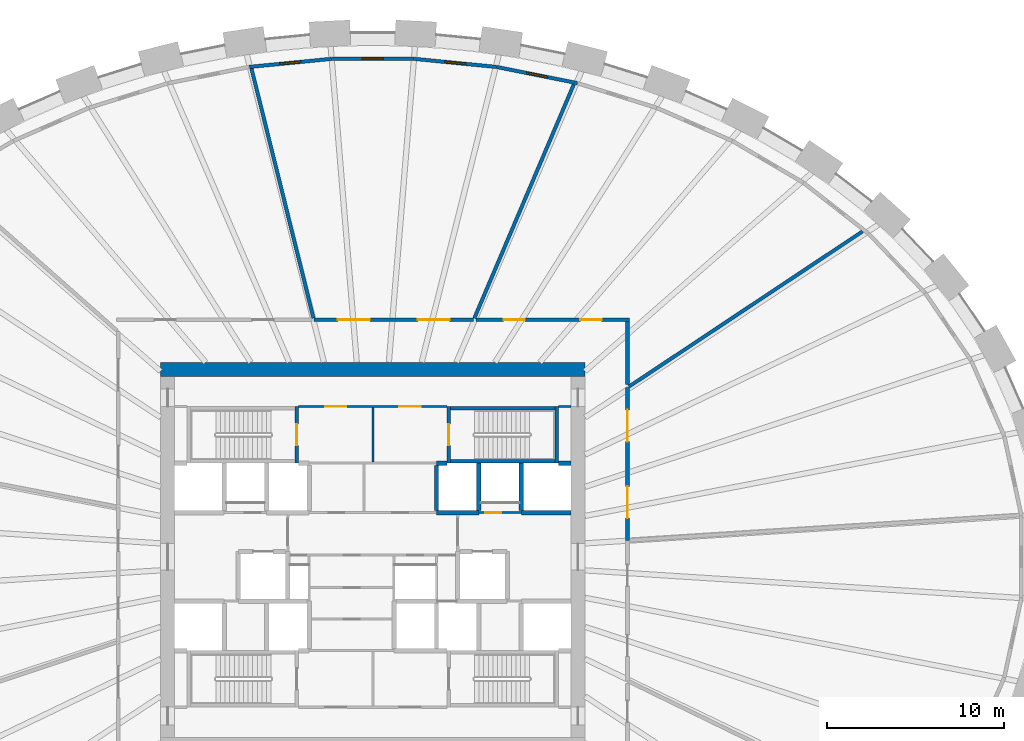
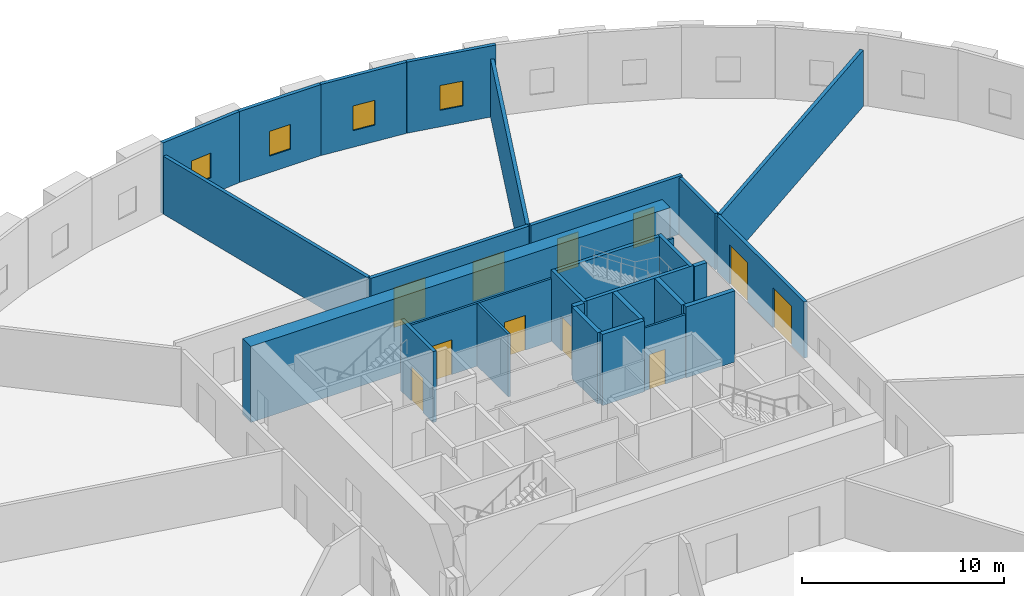
# One storey, part 7 of 9: 28 walls, 11 doors, 4 windows, 15 openings.
"""IFC4 building model written with IfcOpenShell, lengths in metres."""

from ifc_helpers import new_model, si_unit, direction, frame, frame_2d, origin, place, context, subcontext, project, spatial, rectangle, extrude, source, transform, mapped, material, layer, layer_set, type_object, element, fill, save


model = new_model("IFC4")

# Units and contexts
model_context = context("Model", 3, precision=1e-05, world=origin(), true_north=direction((0.0, 1.0)))
body_context = subcontext(model_context, "Body", "Model", "MODEL_VIEW")
ifc_project = project(units=[si_unit("LENGTHUNIT", "METRE"), si_unit("AREAUNIT", "SQUARE_METRE"), si_unit("VOLUMEUNIT", "CUBIC_METRE"), si_unit("PLANEANGLEUNIT", "RADIAN"), si_unit("MASSUNIT", "GRAM", prefix="KILO")], contexts=[model_context])

# Site, building, storey
site_placement = place(None, origin())
site = spatial("IfcSite", under=ifc_project, at=site_placement, CompositionType="ELEMENT")
building_placement = place(site_placement, origin())
building = spatial("IfcBuilding", under=site, at=building_placement, Name="Embergate Tower", CompositionType="ELEMENT")
storey_placement = place(building_placement, frame((0.0, 0.0, 147.60009765625)))
storey = spatial("IfcBuildingStorey", under=building, at=storey_placement, Name="L32", CompositionType="ELEMENT", Elevation=147.60009765625)

# Wall
ifc_material_1 = material(Name="Concrete C70", Category="concrete")
ifc_layer_1 = layer(ifc_material_1, 0.800048828125)
ifc_layer_set_1 = layer_set([ifc_layer_1], Name="Concrete C70")
wall_type_1 = type_object("IfcWallType", Name="Core outer wall C70 800", PredefinedType="SHEAR", material=ifc_layer_set_1)
shared_shape_1 = source(origin(), body_context, "Body", "SweptSolid", [
    extrude(rectangle(XDim=24.0, YDim=0.800048828125, at=frame_2d((12.0, 0.0))), origin(), (0.0, 0.0, 1.0), 4.599853515625),
])
wall_1_placement = place(storey_placement, frame((-12.0, 10.60009765625, -0.300048828125), z_axis=(0.0, 0.0, 1.0), x_axis=(1.0, 0.0, 0.0)))
element("IfcWall", 1, at=wall_1_placement, inside=storey, type_object=wall_type_1, Name="CW-L32-N", PredefinedType="SHEAR", context=body_context, shape_type="MappedRepresentation", body=[
    mapped(shared_shape_1, transform((0.0, 0.0, 0.0))),
])

# Wall, opening, window
ifc_material_2 = material(Name="Terracotta louvre cladding on insulated backing", Category="masonry")
ifc_layer_2 = layer(ifc_material_2, 0.199951171875)
ifc_layer_set_2 = layer_set([ifc_layer_2], Name="Terracotta louvre cladding on insulated backing")
wall_type_2 = type_object("IfcWallType", Name="Terracotta louvre wall", PredefinedType="SOLIDWALL", material=ifc_layer_set_2)
shared_shape_2 = source(origin(), body_context, "Body", "SweptSolid", [
    extrude(rectangle(XDim=4.656005859375, YDim=0.199951171875, at=frame_2d((2.328125, 0.0))), origin(), (0.0, 0.0, 1.0), 4.2998046875),
])
wall_2_placement = place(storey_placement, frame((7.00390625, 27.6962890625, 0.0), z_axis=(0.0, 0.0, 1.0), x_axis=(0.980477688028, -0.196630372218, 0.0)))
wall_2 = element("IfcWall", 2, at=wall_2_placement, inside=storey, type_object=wall_type_2, Name="Louvre wall 9", PredefinedType="SOLIDWALL", context=body_context, shape_type="MappedRepresentation", body=[
    mapped(shared_shape_2, transform((0.0, 0.0, 0.0))),
])
shared_shape_3 = source(origin(), body_context, "Body", "SweptSolid", [
    extrude(rectangle(XDim=1.199951171875, YDim=1.5, at=frame_2d((0.60009765625, 0.75))), frame((0.0, 0.10986328125, 0.0), z_axis=(0.0, -1.0, 0.0), x_axis=(1.0, 0.0, 0.0)), (0.0, 0.0, 1.0), 0.219970703125),
])
opening_1_placement = place(wall_2_placement, frame((1.72802734375, 0.0, 1.0)))
opening_1 = element("IfcOpeningElement", 3, at=opening_1_placement, cuts=wall_2, Name="Opening RW", PredefinedType="OPENING", context=body_context, shape_type="MappedRepresentation", body=[
    mapped(shared_shape_3, transform((0.0, 0.0, 0.0))),
])
ifc_material_3 = material(Name="Aluminium, thermally broken, triple glazed", Category="aluminium")
window_type = type_object("IfcWindowType", Name="Refuge operable window", PartitioningType="SINGLE_PANEL", PredefinedType="WINDOW", material=ifc_material_3)
shared_shape_4 = source(origin(), body_context, "Body", "SweptSolid", [
    extrude(rectangle(XDim=1.199951171875, YDim=1.5, at=frame_2d((0.60009765625, 0.75))), frame((0.0, 0.030029296875, 0.0), z_axis=(0.0, -1.0, 0.0), x_axis=(1.0, 0.0, 0.0)), (0.0, 0.0, 1.0), 0.06005859375),
])
window_1_placement = place(opening_1_placement, origin())
window_1 = element("IfcWindow", 4, at=window_1_placement, inside=storey, type_object=window_type, Name="Refuge window 9", OverallHeight=1.5, OverallWidth=1.199951171875, PartitioningType="SINGLE_PANEL", PredefinedType="WINDOW", context=body_context, shape_type="MappedRepresentation", body=[
    mapped(shared_shape_4, transform((0.0, 0.0, 0.0))),
])
fill(opening_1, window_1)

shared_shape_5 = source(origin(), body_context, "Body", "SweptSolid", [
    extrude(rectangle(XDim=4.657470703125, YDim=0.199951171875, at=frame_2d((2.32861328125, 0.0))), origin(), (0.0, 0.0, 1.0), 4.2998046875),
])
wall_3_placement = place(storey_placement, frame((2.348876953125, 28.15478515625, 0.0), z_axis=(0.0, 0.0, 1.0), x_axis=(0.995204942031, -0.097811672908, 0.0)))
wall_3 = element("IfcWall", 5, at=wall_3_placement, inside=storey, type_object=wall_type_2, Name="Louvre wall 10", PredefinedType="SOLIDWALL", context=body_context, shape_type="MappedRepresentation", body=[
    mapped(shared_shape_5, transform((0.0, 0.0, 0.0))),
])
opening_2_placement = place(wall_3_placement, frame((1.728759765625, 0.0, 1.0)))
opening_2 = element("IfcOpeningElement", 6, at=opening_2_placement, cuts=wall_3, Name="Opening RW", PredefinedType="OPENING", context=body_context, shape_type="MappedRepresentation", body=[
    mapped(shared_shape_3, transform((0.0, 0.0, 0.0))),
])
window_2_placement = place(opening_2_placement, origin())
window_2 = element("IfcWindow", 7, at=window_2_placement, inside=storey, type_object=window_type, Name="Refuge window 10", OverallHeight=1.5, OverallWidth=1.199951171875, PartitioningType="SINGLE_PANEL", PredefinedType="WINDOW", context=body_context, shape_type="MappedRepresentation", body=[
    mapped(shared_shape_4, transform((0.0, 0.0, 0.0))),
])
fill(opening_2, window_2)

wall_4_placement = place(storey_placement, frame((-6.984130859375, 27.69921875, 0.0), z_axis=(0.0, 0.0, 1.0), x_axis=(0.995204942031, 0.097811672908, 0.0)))
wall_4 = element("IfcWall", 8, at=wall_4_placement, inside=storey, type_object=wall_type_2, Name="Louvre wall 12", PredefinedType="SOLIDWALL", context=body_context, shape_type="MappedRepresentation", body=[
    mapped(shared_shape_5, transform((0.0, 0.0, 0.0))),
])
opening_3_placement = place(wall_4_placement, frame((1.728759765625, 0.0, 1.0)))
opening_3 = element("IfcOpeningElement", 9, at=opening_3_placement, cuts=wall_4, Name="Opening RW", PredefinedType="OPENING", context=body_context, shape_type="MappedRepresentation", body=[
    mapped(shared_shape_3, transform((0.0, 0.0, 0.0))),
])
window_3_placement = place(opening_3_placement, origin())
window_3 = element("IfcWindow", 10, at=window_3_placement, inside=storey, type_object=window_type, Name="Refuge window 12", OverallHeight=1.5, OverallWidth=1.199951171875, PartitioningType="SINGLE_PANEL", PredefinedType="WINDOW", context=body_context, shape_type="MappedRepresentation", body=[
    mapped(shared_shape_4, transform((0.0, 0.0, 0.0))),
])
fill(opening_3, window_3)

shared_shape_6 = source(origin(), body_context, "Body", "SweptSolid", [
    extrude(rectangle(XDim=4.658203125, YDim=0.199951171875, at=frame_2d((2.3291015625, 0.0))), origin(), (0.0, 0.0, 1.0), 4.2998046875),
])
wall_5_placement = place(storey_placement, frame((-2.3291015625, 28.156005859375, 0.0), z_axis=(0.0, 0.0, 1.0), x_axis=(1.0, 0.0, 0.0)))
wall_5 = element("IfcWall", 11, at=wall_5_placement, inside=storey, type_object=wall_type_2, Name="Louvre wall 11", PredefinedType="SOLIDWALL", context=body_context, shape_type="MappedRepresentation", body=[
    mapped(shared_shape_6, transform((0.0, 0.0, 0.0))),
])
opening_4_placement = place(wall_5_placement, frame((1.72900390625, 0.0, 1.0)))
opening_4 = element("IfcOpeningElement", 12, at=opening_4_placement, cuts=wall_5, Name="Opening RW", PredefinedType="OPENING", context=body_context, shape_type="MappedRepresentation", body=[
    mapped(shared_shape_3, transform((0.0, 0.0, 0.0))),
])
window_4_placement = place(opening_4_placement, origin())
window_4 = element("IfcWindow", 13, at=window_4_placement, inside=storey, type_object=window_type, Name="Refuge window 11", OverallHeight=1.5, OverallWidth=1.199951171875, PartitioningType="SINGLE_PANEL", PredefinedType="WINDOW", context=body_context, shape_type="MappedRepresentation", body=[
    mapped(shared_shape_4, transform((0.0, 0.0, 0.0))),
])
fill(opening_4, window_4)

# Walls
ifc_material_4 = material(Name="Concrete C50", Category="concrete")
ifc_layer_3 = layer(ifc_material_4, 0.25)
ifc_layer_set_3 = layer_set([ifc_layer_3], Name="Concrete C50")
wall_type_3 = type_object("IfcWallType", Name="Hoistway wall reinforced concrete 250", PredefinedType="SHEAR", material=ifc_layer_set_3)
shared_shape_7 = source(origin(), body_context, "Body", "SweptSolid", [
    extrude(rectangle(XDim=2.675048828125, YDim=0.25, at=frame_2d((1.33740234375, 0.0))), origin(), (0.0, 0.0, 1.0), 4.2998046875),
])
for number, where, z_axis, x_axis, name in (
    (14, (6.0, 2.625, 0.0), (0.0, 0.0, 1.0), (0.0, 1.0, 0.0), "HW-1 wall"),
    (15, (8.39990234375, 2.625, 0.0), (0.0, 0.0, 1.0), (0.0, 1.0, 0.0), "HW-1 wall"),
):
    element("IfcWall", number, at=place(storey_placement, frame(where, z_axis=z_axis, x_axis=x_axis)), inside=storey, type_object=wall_type_3, Name=name, PredefinedType="SHEAR", context=body_context, shape_type="MappedRepresentation", body=[
        mapped(shared_shape_7, transform((0.0, 0.0, 0.0))),
    ])
ifc_layer_4 = layer(ifc_material_4, 0.199951171875)
ifc_layer_set_4 = layer_set([ifc_layer_4], Name="Concrete C50")
wall_type_4 = type_object("IfcWallType", Name="Stair enclosure wall reinforced concrete 250", PredefinedType="SHEAR", material=ifc_layer_set_4)
shared_shape_8 = source(origin(), body_context, "Body", "SweptSolid", [
    extrude(rectangle(XDim=6.300048828125, YDim=0.199951171875, at=frame_2d((3.14990234375, 0.0))), origin(), (0.0, 0.0, 1.0), 4.2998046875),
])
for number, where, z_axis, x_axis, name in (
    (16, (10.5, 5.39990234375, 0.0), (0.0, 0.0, 1.0), (-1.0, 0.0, 0.0), "SE-1 wall"),
    (17, (10.5, 8.39990234375, 0.0), (0.0, 0.0, 1.0), (-1.0, 0.0, 0.0), "SE-1 wall"),
):
    element("IfcWall", number, at=place(storey_placement, frame(where, z_axis=z_axis, x_axis=x_axis)), inside=storey, type_object=wall_type_4, Name=name, PredefinedType="SHEAR", context=body_context, shape_type="MappedRepresentation", body=[
        mapped(shared_shape_8, transform((0.0, 0.0, 0.0))),
    ])
shared_shape_9 = source(origin(), body_context, "Body", "SweptSolid", [
    extrude(rectangle(XDim=2.550048828125, YDim=0.25, at=frame_2d((1.27490234375, 0.0))), origin(), (0.0, 0.0, 1.0), 4.2998046875),
])
wall_6_placement = place(storey_placement, frame((3.60009765625, 5.175048828125, 0.0), z_axis=(0.0, 0.0, 1.0), x_axis=(0.0, -1.0, 0.0)))
element("IfcWall", 18, at=wall_6_placement, inside=storey, type_object=wall_type_3, Name="HW-1 wall", PredefinedType="SHEAR", context=body_context, shape_type="MappedRepresentation", body=[
    mapped(shared_shape_9, transform((0.0, 0.0, 0.0))),
])

# Wall, opening, door
shared_shape_10 = source(origin(), body_context, "Body", "SweptSolid", [
    extrude(rectangle(XDim=3.199951171875, YDim=0.199951171875, at=frame_2d((1.60009765625, 0.0))), origin(), (0.0, 0.0, 1.0), 4.2998046875),
])
wall_7_placement = place(storey_placement, frame((-4.300048828125, 5.300048828125, 0.0), z_axis=(0.0, 0.0, 1.0), x_axis=(0.0, 1.0, 0.0)))
wall_7 = element("IfcWall", 19, at=wall_7_placement, inside=storey, type_object=wall_type_4, Name="SE-1 wall", PredefinedType="SHEAR", context=body_context, shape_type="MappedRepresentation", body=[
    mapped(shared_shape_10, transform((0.0, 0.0, 0.0))),
])
shared_shape_11 = source(origin(), body_context, "Body", "SweptSolid", [
    extrude(rectangle(XDim=1.199951171875, YDim=2.10009765625, at=frame_2d((0.60009765625, 1.050048828125))), frame((0.0, 0.10986328125, 0.0), z_axis=(0.0, -1.0, 0.0), x_axis=(1.0, 0.0, 0.0)), (0.0, 0.0, 1.0), 0.219970703125),
])
opening_5_placement = place(wall_7_placement, frame((1.0, 0.0, 0.0)))
opening_5 = element("IfcOpeningElement", 20, at=opening_5_placement, cuts=wall_7, Name="Opening IF-2", PredefinedType="OPENING", context=body_context, shape_type="MappedRepresentation", body=[
    mapped(shared_shape_11, transform((0.0, 0.0, 0.0))),
])
ifc_material_5 = material(Name="Stair enclosure door 1200")
door_type_1 = type_object("IfcDoorType", Name="Stair enclosure door 1200", OperationType="SINGLE_SWING_LEFT", PredefinedType="DOOR", material=ifc_material_5)
shared_shape_12 = source(origin(), body_context, "Body", "SweptSolid", [
    extrude(rectangle(XDim=1.199951171875, YDim=2.10009765625, at=frame_2d((0.60009765625, 1.050048828125))), frame((0.0, 0.02490234375, 0.0), z_axis=(0.0, -1.0, 0.0), x_axis=(1.0, 0.0, 0.0)), (0.0, 0.0, 1.0), 0.050048828125),
])
door_1_placement = place(opening_5_placement, origin())
door_1 = element("IfcDoor", 21, at=door_1_placement, inside=storey, type_object=door_type_1, Name="IF-2 door", OperationType="SINGLE_SWING_LEFT", OverallHeight=2.10009765625, OverallWidth=1.199951171875, PredefinedType="DOOR", context=body_context, shape_type="MappedRepresentation", body=[
    mapped(shared_shape_12, transform((0.0, 0.0, 0.0))),
])
fill(opening_5, door_1)

wall_8_placement = place(storey_placement, frame((4.300048828125, 8.5, 0.0), z_axis=(0.0, 0.0, 1.0), x_axis=(0.0, -1.0, 0.0)))
wall_8 = element("IfcWall", 22, at=wall_8_placement, inside=storey, type_object=wall_type_4, Name="SE-1 wall", PredefinedType="SHEAR", context=body_context, shape_type="MappedRepresentation", body=[
    mapped(shared_shape_10, transform((0.0, 0.0, 0.0))),
])
opening_6_placement = place(wall_8_placement, frame((1.0, 0.0, 0.0)))
opening_6 = element("IfcOpeningElement", 23, at=opening_6_placement, cuts=wall_8, Name="Opening IF-2", PredefinedType="OPENING", context=body_context, shape_type="MappedRepresentation", body=[
    mapped(shared_shape_11, transform((0.0, 0.0, 0.0))),
])
door_2_placement = place(opening_6_placement, origin())
door_2 = element("IfcDoor", 24, at=door_2_placement, inside=storey, type_object=door_type_1, Name="IF-2 door", OperationType="SINGLE_SWING_RIGHT", OverallHeight=2.10009765625, OverallWidth=1.199951171875, PredefinedType="DOOR", context=body_context, shape_type="MappedRepresentation", body=[
    mapped(shared_shape_12, transform((0.0, 0.0, 0.0))),
])
fill(opening_6, door_2)

# Wall
shared_shape_13 = source(origin(), body_context, "Body", "SweptSolid", [
    extrude(rectangle(XDim=2.39990234375, YDim=0.25, at=frame_2d((1.199951171875, 0.0))), origin(), (0.0, 0.0, 1.0), 4.2998046875),
])
wall_9_placement = place(storey_placement, frame((3.60009765625, 2.5, 0.0), z_axis=(0.0, 0.0, 1.0), x_axis=(1.0, 0.0, 0.0)))
element("IfcWall", 25, at=wall_9_placement, inside=storey, type_object=wall_type_3, Name="HW-1 wall", PredefinedType="SHEAR", context=body_context, shape_type="MappedRepresentation", body=[
    mapped(shared_shape_13, transform((0.0, 0.0, 0.0))),
])

# Wall, openings, doors
ifc_material_6 = material(Name="Core partition blockwork 120")
ifc_layer_5 = layer(ifc_material_6, 0.1201171875)
ifc_layer_set_5 = layer_set([ifc_layer_5], Name="Core partition blockwork 120")
wall_type_5 = type_object("IfcWallType", Name="Core partition blockwork 120", PredefinedType="PARTITIONING", material=ifc_layer_set_5)
shared_shape_14 = source(origin(), body_context, "Body", "SweptSolid", [
    extrude(rectangle(XDim=8.39990234375, YDim=0.1201171875, at=frame_2d((4.199951171875, 0.0))), origin(), (0.0, 0.0, 1.0), 3.7998046875),
])
wall_10_placement = place(storey_placement, frame((4.199951171875, 8.5, 0.0), z_axis=(0.0, 0.0, 1.0), x_axis=(-1.0, 0.0, 0.0)))
wall_10 = element("IfcWall", 26, at=wall_10_placement, inside=storey, type_object=wall_type_5, Name="IP-3 wall", PredefinedType="PARTITIONING", context=body_context, shape_type="MappedRepresentation", body=[
    mapped(shared_shape_14, transform((0.0, 0.0, 0.0))),
])
shared_shape_15 = source(origin(), body_context, "Body", "SweptSolid", [
    extrude(rectangle(XDim=1.199951171875, YDim=2.10009765625, at=frame_2d((0.60009765625, 1.050048828125))), frame((0.0, 0.070068359375, 0.0), z_axis=(0.0, -1.0, 0.0), x_axis=(1.0, 0.0, 0.0)), (0.0, 0.0, 1.0), 0.14013671875),
])
opening_7_placement = place(wall_10_placement, frame((5.699951171875, 0.0, 0.0)))
opening_7 = element("IfcOpeningElement", 27, at=opening_7_placement, cuts=wall_10, Name="Opening IF-3f", PredefinedType="OPENING", context=body_context, shape_type="MappedRepresentation", body=[
    mapped(shared_shape_15, transform((0.0, 0.0, 0.0))),
])
opening_8_placement = place(wall_10_placement, frame((1.5, 0.0, 0.0)))
opening_8 = element("IfcOpeningElement", 28, at=opening_8_placement, cuts=wall_10, Name="Opening IF-3f", PredefinedType="OPENING", context=body_context, shape_type="MappedRepresentation", body=[
    mapped(shared_shape_15, transform((0.0, 0.0, 0.0))),
])
ifc_material_7 = material(Name="Lobby fire door pair 1200")
door_type_2 = type_object("IfcDoorType", Name="Lobby fire door pair 1200", OperationType="DOUBLE_DOOR_SINGLE_SWING", PredefinedType="DOOR", material=ifc_material_7)
door_3_placement = place(opening_7_placement, origin())
door_3 = element("IfcDoor", 29, at=door_3_placement, inside=storey, type_object=door_type_2, Name="IF-3 door", OperationType="DOUBLE_DOOR_SINGLE_SWING", OverallHeight=2.10009765625, OverallWidth=1.199951171875, PredefinedType="DOOR", context=body_context, shape_type="MappedRepresentation", body=[
    mapped(shared_shape_12, transform((0.0, 0.0, 0.0))),
])
fill(opening_7, door_3)
door_4_placement = place(opening_8_placement, origin())
door_4 = element("IfcDoor", 30, at=door_4_placement, inside=storey, type_object=door_type_2, Name="IF-3 door", OperationType="DOUBLE_DOOR_SINGLE_SWING", OverallHeight=2.10009765625, OverallWidth=1.199951171875, PredefinedType="DOOR", context=body_context, shape_type="MappedRepresentation", body=[
    mapped(shared_shape_12, transform((0.0, 0.0, 0.0))),
])
fill(opening_8, door_4)

# Wall
shared_shape_16 = source(origin(), body_context, "Body", "SweptSolid", [
    extrude(rectangle(XDim=2.800048828125, YDim=0.25, at=frame_2d((1.39990234375, 0.0))), origin(), (0.0, 0.0, 1.0), 4.2998046875),
])
wall_11_placement = place(storey_placement, frame((8.39990234375, 2.5, 0.0), z_axis=(0.0, 0.0, 1.0), x_axis=(1.0, 0.0, 0.0)))
element("IfcWall", 31, at=wall_11_placement, inside=storey, type_object=wall_type_3, Name="HW-1 wall", PredefinedType="SHEAR", context=body_context, shape_type="MappedRepresentation", body=[
    mapped(shared_shape_16, transform((0.0, 0.0, 0.0))),
])

# Wall, opening, door
shared_shape_17 = source(origin(), body_context, "Body", "SweptSolid", [
    extrude(rectangle(XDim=2.39990234375, YDim=0.1201171875, at=frame_2d((1.199951171875, 0.0))), origin(), (0.0, 0.0, 1.0), 3.7998046875),
])
wall_12_placement = place(storey_placement, frame((6.0, 2.5, 0.0), z_axis=(0.0, 0.0, 1.0), x_axis=(1.0, 0.0, 0.0)))
wall_12 = element("IfcWall", 32, at=wall_12_placement, inside=storey, type_object=wall_type_5, Name="IP-3 wall", PredefinedType="PARTITIONING", context=body_context, shape_type="MappedRepresentation", body=[
    mapped(shared_shape_17, transform((0.0, 0.0, 0.0))),
])
shared_shape_18 = source(origin(), body_context, "Body", "SweptSolid", [
    extrude(rectangle(XDim=0.89990234375, YDim=2.10009765625, at=frame_2d((0.449951171875, 1.050048828125))), frame((0.0, 0.070068359375, 0.0), z_axis=(0.0, -1.0, 0.0), x_axis=(1.0, 0.0, 0.0)), (0.0, 0.0, 1.0), 0.14013671875),
])
opening_9_placement = place(wall_12_placement, frame((0.35009765625, 0.0, 0.0)))
opening_9 = element("IfcOpeningElement", 33, at=opening_9_placement, cuts=wall_12, Name="Opening ID-1", PredefinedType="OPENING", context=body_context, shape_type="MappedRepresentation", body=[
    mapped(shared_shape_18, transform((0.0, 0.0, 0.0))),
])
ifc_material_8 = material(Name="Interior door 900")
door_type_3 = type_object("IfcDoorType", Name="Interior door 900", OperationType="SINGLE_SWING_LEFT", PredefinedType="DOOR", material=ifc_material_8)
shared_shape_19 = source(origin(), body_context, "Body", "SweptSolid", [
    extrude(rectangle(XDim=0.89990234375, YDim=2.10009765625, at=frame_2d((0.449951171875, 1.050048828125))), frame((0.0, 0.02490234375, 0.0), z_axis=(0.0, -1.0, 0.0), x_axis=(1.0, 0.0, 0.0)), (0.0, 0.0, 1.0), 0.050048828125),
])
door_5_placement = place(opening_9_placement, origin())
door_5 = element("IfcDoor", 34, at=door_5_placement, inside=storey, type_object=door_type_3, Name="ID-1 door", OperationType="SINGLE_SWING_LEFT", OverallHeight=2.10009765625, OverallWidth=0.89990234375, PredefinedType="DOOR", context=body_context, shape_type="MappedRepresentation", body=[
    mapped(shared_shape_19, transform((0.0, 0.0, 0.0))),
])
fill(opening_9, door_5)

# Walls
shared_shape_20 = source(origin(), body_context, "Body", "SweptSolid", [
    extrude(rectangle(XDim=0.599853515625, YDim=0.25, at=frame_2d((0.2998046875, 0.0))), origin(), (0.0, 0.0, 1.0), 4.2998046875),
])
wall_13_placement = place(storey_placement, frame((4.199951171875, 5.300048828125, 0.0), z_axis=(0.0, 0.0, 1.0), x_axis=(-1.0, 0.0, 0.0)))
element("IfcWall", 35, at=wall_13_placement, inside=storey, type_object=wall_type_3, Name="HW-1 wall", PredefinedType="SHEAR", context=body_context, shape_type="MappedRepresentation", body=[
    mapped(shared_shape_20, transform((0.0, 0.0, 0.0))),
])
shared_shape_21 = source(origin(), body_context, "Body", "SweptSolid", [
    extrude(rectangle(XDim=3.079833984375, YDim=0.1201171875, at=frame_2d((1.5400390625, 0.0))), origin(), (0.0, 0.0, 1.0), 3.7998046875),
])
wall_14_placement = place(storey_placement, frame((0.0, 5.360107421875, 0.0), z_axis=(0.0, 0.0, 1.0), x_axis=(0.0, 1.0, 0.0)))
element("IfcWall", 36, at=wall_14_placement, inside=storey, type_object=wall_type_5, Name="IP-3 wall", PredefinedType="PARTITIONING", context=body_context, shape_type="MappedRepresentation", body=[
    mapped(shared_shape_21, transform((0.0, 0.0, 0.0))),
])
shared_shape_22 = source(origin(), body_context, "Body", "SweptSolid", [
    extrude(rectangle(XDim=3.196044921875, YDim=0.199951171875, at=frame_2d((1.59814453125, 0.0))), origin(), (0.0, 0.0, 1.0), 4.2998046875),
])
wall_15_placement = place(storey_placement, frame((10.39990234375, 5.302001953125, 0.0), z_axis=(0.0, 0.0, 1.0), x_axis=(0.0, 1.0, 0.0)))
element("IfcWall", 37, at=wall_15_placement, inside=storey, type_object=wall_type_4, Name="SE-1 wall", PredefinedType="SHEAR", context=body_context, shape_type="MappedRepresentation", body=[
    mapped(shared_shape_22, transform((0.0, 0.0, 0.0))),
])
shared_shape_23 = source(origin(), body_context, "Body", "SweptSolid", [
    extrude(rectangle(XDim=0.697998046875, YDim=0.25, at=frame_2d((0.34912109375, 0.0))), origin(), (0.0, 0.0, 1.0), 4.2998046875),
])
wall_16_placement = place(storey_placement, frame((11.199951171875, 5.300048828125, 0.0), z_axis=(0.0, 0.0, 1.0), x_axis=(-1.0, 0.0, 0.0)))
element("IfcWall", 38, at=wall_16_placement, inside=storey, type_object=wall_type_3, Name="HW-1 wall", PredefinedType="SHEAR", context=body_context, shape_type="MappedRepresentation", body=[
    mapped(shared_shape_23, transform((0.0, 0.0, 0.0))),
])
shared_shape_24 = source(origin(), body_context, "Body", "SweptSolid", [
    extrude(rectangle(XDim=0.697998046875, YDim=0.1201171875, at=frame_2d((0.34912109375, 0.0))), origin(), (0.0, 0.0, 1.0), 3.7998046875),
])
wall_17_placement = place(storey_placement, frame((10.501953125, 8.5, 0.0), z_axis=(0.0, 0.0, 1.0), x_axis=(1.0, 0.0, 0.0)))
element("IfcWall", 39, at=wall_17_placement, inside=storey, type_object=wall_type_5, Name="IP-3 wall", PredefinedType="PARTITIONING", context=body_context, shape_type="MappedRepresentation", body=[
    mapped(shared_shape_24, transform((0.0, 0.0, 0.0))),
])
ifc_material_9 = material(Name="Blockwork, plastered", Category="masonry")
ifc_layer_6 = layer(ifc_material_9, 0.199951171875)
ifc_layer_set_6 = layer_set([ifc_layer_6], Name="Blockwork, plastered")
wall_type_6 = type_object("IfcWallType", Name="Fire partition wall 200 block", PredefinedType="PARTITIONING", material=ifc_layer_set_6)
shared_shape_25 = source(origin(), body_context, "Body", "SweptSolid", [
    extrude(rectangle(XDim=14.54638671875, YDim=0.199951171875, at=frame_2d((7.273193359375, 0.0))), origin(), (0.0, 0.0, 1.0), 3.5),
])
wall_18_placement = place(storey_placement, frame((-3.35400390625, 13.4970703125, 0.0), z_axis=(0.0, 0.0, 1.0), x_axis=(-0.241165043014, 0.97048411735, 0.0)))
element("IfcWall", 40, at=wall_18_placement, inside=storey, type_object=wall_type_6, Name="Partition 010", PredefinedType="PARTITIONING", context=body_context, shape_type="MappedRepresentation", body=[
    mapped(shared_shape_25, transform((0.0, 0.0, 0.0))),
])

# Wall, openings, doors
shared_shape_26 = source(origin(), body_context, "Body", "SweptSolid", [
    extrude(rectangle(XDim=9.031005859375, YDim=0.199951171875, at=frame_2d((4.515625, 0.0))), origin(), (0.0, 0.0, 1.0), 3.5),
])
wall_19_placement = place(storey_placement, frame((-3.330078125, 13.39990234375, 0.0), z_axis=(0.0, 0.0, 1.0), x_axis=(1.0, 0.0, 0.0)))
wall_19 = element("IfcWall", 41, at=wall_19_placement, inside=storey, type_object=wall_type_6, Name="Partition 011", PredefinedType="PARTITIONING", context=body_context, shape_type="MappedRepresentation", body=[
    mapped(shared_shape_26, transform((0.0, 0.0, 0.0))),
])
shared_shape_27 = source(origin(), body_context, "Body", "SweptSolid", [
    extrude(rectangle(XDim=1.800048828125, YDim=2.39990234375, at=frame_2d((0.89990234375, 1.199951171875))), frame((0.0, 0.10986328125, 0.0), z_axis=(0.0, -1.0, 0.0), x_axis=(1.0, 0.0, 0.0)), (0.0, 0.0, 1.0), 0.219970703125),
])
opening_10_placement = place(wall_19_placement, frame((1.35791015625, 0.0, 0.0)))
opening_10 = element("IfcOpeningElement", 42, at=opening_10_placement, cuts=wall_19, Name="Opening DS-181", PredefinedType="OPENING", context=body_context, shape_type="MappedRepresentation", body=[
    mapped(shared_shape_27, transform((0.0, 0.0, 0.0))),
])
opening_11_placement = place(wall_19_placement, frame((5.873046875, 0.0, 0.0)))
opening_11 = element("IfcOpeningElement", 43, at=opening_11_placement, cuts=wall_19, Name="Opening DS-182", PredefinedType="OPENING", context=body_context, shape_type="MappedRepresentation", body=[
    mapped(shared_shape_27, transform((0.0, 0.0, 0.0))),
])
ifc_material_10 = material(Name="Timber door leaf, steel frame", Category="steel")
door_type_4 = type_object("IfcDoorType", Name="Double door 1800x2400", OperationType="DOUBLE_DOOR_SINGLE_SWING", PredefinedType="DOOR", material=ifc_material_10)
shared_shape_28 = source(origin(), body_context, "Body", "SweptSolid", [
    extrude(rectangle(XDim=1.800048828125, YDim=2.39990234375, at=frame_2d((0.89990234375, 1.199951171875))), frame((0.0, 0.02490234375, 0.0), z_axis=(0.0, -1.0, 0.0), x_axis=(1.0, 0.0, 0.0)), (0.0, 0.0, 1.0), 0.050048828125),
])
door_6_placement = place(opening_10_placement, origin())
door_6 = element("IfcDoor", 44, at=door_6_placement, inside=storey, type_object=door_type_4, Name="Door to Refuge area", OperationType="SINGLE_SWING_LEFT", OverallHeight=2.39990234375, OverallWidth=1.800048828125, PredefinedType="DOOR", context=body_context, shape_type="MappedRepresentation", body=[
    mapped(shared_shape_28, transform((0.0, 0.0, 0.0))),
])
fill(opening_10, door_6)
door_7_placement = place(opening_11_placement, origin())
door_7 = element("IfcDoor", 45, at=door_7_placement, inside=storey, type_object=door_type_4, Name="Door to Refuge area", OperationType="SINGLE_SWING_LEFT", OverallHeight=2.39990234375, OverallWidth=1.800048828125, PredefinedType="DOOR", context=body_context, shape_type="MappedRepresentation", body=[
    mapped(shared_shape_28, transform((0.0, 0.0, 0.0))),
])
fill(opening_11, door_7)

# Wall
shared_shape_29 = source(origin(), body_context, "Body", "SweptSolid", [
    extrude(rectangle(XDim=14.368896484375, YDim=0.199951171875, at=frame_2d((7.1845703125, 0.0))), origin(), (0.0, 0.0, 1.0), 3.5),
])
wall_20_placement = place(storey_placement, frame((5.739990234375, 13.491943359375, 0.0), z_axis=(0.0, 0.0, 1.0), x_axis=(0.391469459163, 0.9201911011, 0.0)))
element("IfcWall", 46, at=wall_20_placement, inside=storey, type_object=wall_type_6, Name="Partition 014", PredefinedType="PARTITIONING", context=body_context, shape_type="MappedRepresentation", body=[
    mapped(shared_shape_29, transform((0.0, 0.0, 0.0))),
])

# Wall, openings, doors
shared_shape_30 = source(origin(), body_context, "Body", "SweptSolid", [
    extrude(rectangle(XDim=8.6689453125, YDim=0.199951171875, at=frame_2d((4.33447265625, 0.0))), origin(), (0.0, 0.0, 1.0), 3.5),
])
wall_21_placement = place(storey_placement, frame((5.8310546875, 13.39990234375, 0.0), z_axis=(0.0, 0.0, 1.0), x_axis=(1.0, 0.0, 0.0)))
wall_21 = element("IfcWall", 47, at=wall_21_placement, inside=storey, type_object=wall_type_6, Name="Partition 015", PredefinedType="PARTITIONING", context=body_context, shape_type="MappedRepresentation", body=[
    mapped(shared_shape_30, transform((0.0, 0.0, 0.0))),
])
opening_12_placement = place(wall_21_placement, frame((1.56689453125, 0.0, 0.0)))
opening_12 = element("IfcOpeningElement", 48, at=opening_12_placement, cuts=wall_21, Name="Opening DS-179", PredefinedType="OPENING", context=body_context, shape_type="MappedRepresentation", body=[
    mapped(shared_shape_11, transform((0.0, 0.0, 0.0))),
])
opening_13_placement = place(wall_21_placement, frame((5.902099609375, 0.0, 0.0)))
opening_13 = element("IfcOpeningElement", 49, at=opening_13_placement, cuts=wall_21, Name="Opening DS-180", PredefinedType="OPENING", context=body_context, shape_type="MappedRepresentation", body=[
    mapped(shared_shape_11, transform((0.0, 0.0, 0.0))),
])
door_type_5 = type_object("IfcDoorType", Name="Plant door 1200x2100", OperationType="SINGLE_SWING_LEFT", PredefinedType="DOOR", material=ifc_material_10)
shared_shape_31 = source(origin(), body_context, "Body", "SweptSolid", [
    extrude(rectangle(XDim=1.199951171875, YDim=2.10009765625, at=frame_2d((0.60009765625, 1.050048828125))), frame((0.0, 0.02490234375, 0.0), z_axis=(0.0, -1.0, 0.0), x_axis=(1.0, 0.0, 0.0)), (0.0, 0.0, 1.0), 0.050048828125),
])
door_8_placement = place(opening_12_placement, origin())
door_8 = element("IfcDoor", 50, at=door_8_placement, inside=storey, type_object=door_type_5, Name="Door to Mechanical plant room", OperationType="SINGLE_SWING_LEFT", OverallHeight=2.10009765625, OverallWidth=1.199951171875, PredefinedType="DOOR", context=body_context, shape_type="MappedRepresentation", body=[
    mapped(shared_shape_31, transform((0.0, 0.0, 0.0))),
])
fill(opening_12, door_8)
door_9_placement = place(opening_13_placement, origin())
door_9 = element("IfcDoor", 51, at=door_9_placement, inside=storey, type_object=door_type_5, Name="Door to Mechanical plant room", OperationType="SINGLE_SWING_LEFT", OverallHeight=2.10009765625, OverallWidth=1.199951171875, PredefinedType="DOOR", context=body_context, shape_type="MappedRepresentation", body=[
    mapped(shared_shape_31, transform((0.0, 0.0, 0.0))),
])
fill(opening_13, door_9)

shared_shape_32 = source(origin(), body_context, "Body", "SweptSolid", [
    extrude(rectangle(XDim=8.64404296875, YDim=0.199951171875, at=frame_2d((4.322021484375, 0.0))), origin(), (0.0, 0.0, 1.0), 3.39990234375),
])
wall_22_placement = place(storey_placement, frame((14.39990234375, 9.570068359375, 0.0), z_axis=(0.0, 0.0, 1.0), x_axis=(0.0, -1.0, 0.0)))
wall_22 = element("IfcWall", 52, at=wall_22_placement, inside=storey, type_object=wall_type_6, Name="Partition 022", PredefinedType="PARTITIONING", context=body_context, shape_type="MappedRepresentation", body=[
    mapped(shared_shape_32, transform((0.0, 0.0, 0.0))),
])
opening_14_placement = place(wall_22_placement, frame((1.260986328125, 0.0, 0.0)))
opening_14 = element("IfcOpeningElement", 53, at=opening_14_placement, cuts=wall_22, Name="Opening DS-177", PredefinedType="OPENING", context=body_context, shape_type="MappedRepresentation", body=[
    mapped(shared_shape_27, transform((0.0, 0.0, 0.0))),
])
opening_15_placement = place(wall_22_placement, frame((5.5830078125, 0.0, 0.0)))
opening_15 = element("IfcOpeningElement", 54, at=opening_15_placement, cuts=wall_22, Name="Opening DS-178", PredefinedType="OPENING", context=body_context, shape_type="MappedRepresentation", body=[
    mapped(shared_shape_27, transform((0.0, 0.0, 0.0))),
])
door_10_placement = place(opening_14_placement, origin())
door_10 = element("IfcDoor", 55, at=door_10_placement, inside=storey, type_object=door_type_4, Name="Door to Refuge area", OperationType="SINGLE_SWING_LEFT", OverallHeight=2.39990234375, OverallWidth=1.800048828125, PredefinedType="DOOR", context=body_context, shape_type="MappedRepresentation", body=[
    mapped(shared_shape_28, transform((0.0, 0.0, 0.0))),
])
fill(opening_14, door_10)
door_11_placement = place(opening_15_placement, origin())
door_11 = element("IfcDoor", 56, at=door_11_placement, inside=storey, type_object=door_type_4, Name="Door to Refuge area", OperationType="SINGLE_SWING_LEFT", OverallHeight=2.39990234375, OverallWidth=1.800048828125, PredefinedType="DOOR", context=body_context, shape_type="MappedRepresentation", body=[
    mapped(shared_shape_28, transform((0.0, 0.0, 0.0))),
])
fill(opening_15, door_11)

# Walls
shared_shape_33 = source(origin(), body_context, "Body", "SweptSolid", [
    extrude(rectangle(XDim=15.8486328125, YDim=0.199951171875, at=frame_2d((7.92431640625, 0.0))), origin(), (0.0, 0.0, 1.0), 3.39990234375),
])
wall_23_placement = place(storey_placement, frame((14.48291015625, 9.625, 0.0), z_axis=(0.0, 0.0, 1.0), x_axis=(0.832897760893, 0.553426887583, 0.0)))
element("IfcWall", 57, at=wall_23_placement, inside=storey, type_object=wall_type_6, Name="Partition 023", PredefinedType="PARTITIONING", context=body_context, shape_type="MappedRepresentation", body=[
    mapped(shared_shape_33, transform((0.0, 0.0, 0.0))),
])
shared_shape_34 = source(origin(), body_context, "Body", "SweptSolid", [
    extrude(rectangle(XDim=3.56005859375, YDim=0.199951171875, at=frame_2d((1.780029296875, 0.0))), origin(), (0.0, 0.0, 1.0), 3.39990234375),
])
wall_24_placement = place(storey_placement, frame((14.39990234375, 13.300048828125, 0.0), z_axis=(0.0, 0.0, 1.0), x_axis=(0.0, -1.0, 0.0)))
element("IfcWall", 58, at=wall_24_placement, inside=storey, type_object=wall_type_6, Name="Partition 024", PredefinedType="PARTITIONING", context=body_context, shape_type="MappedRepresentation", body=[
    mapped(shared_shape_34, transform((0.0, 0.0, 0.0))),
])

save(model, "model.ifc")
